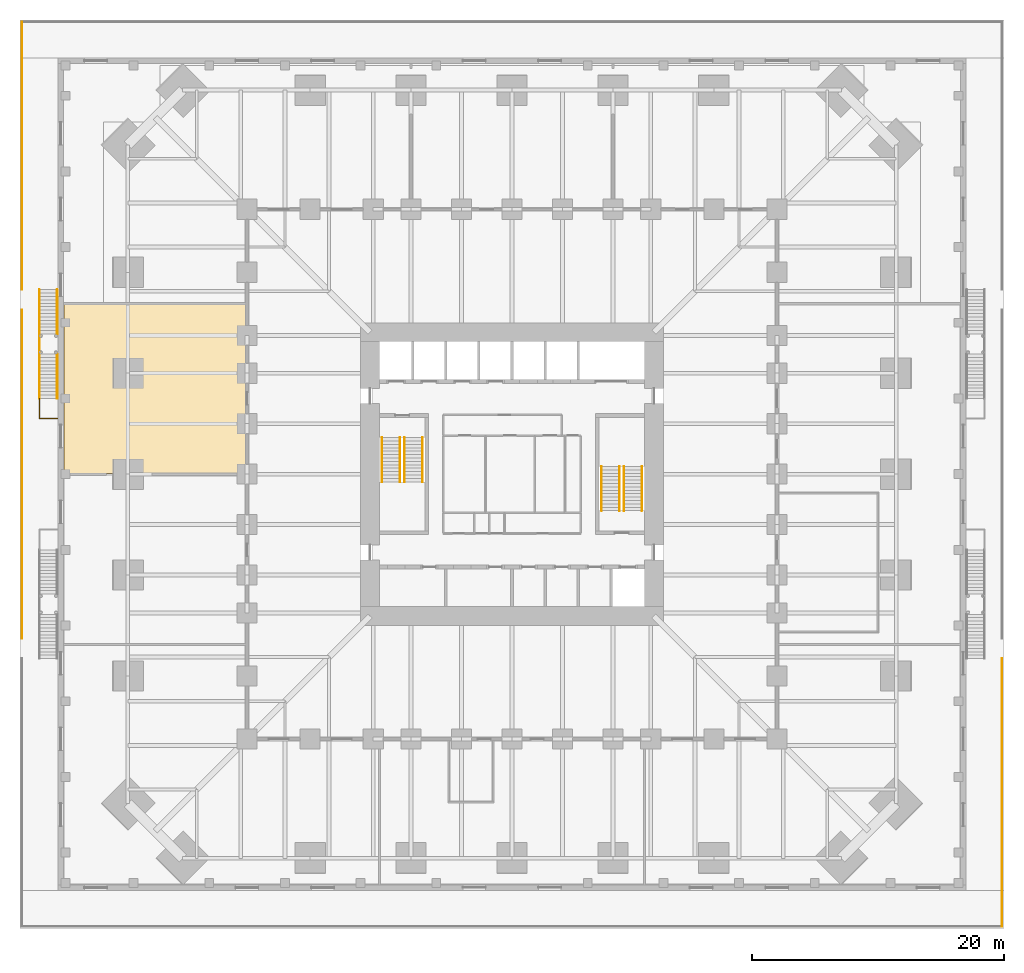
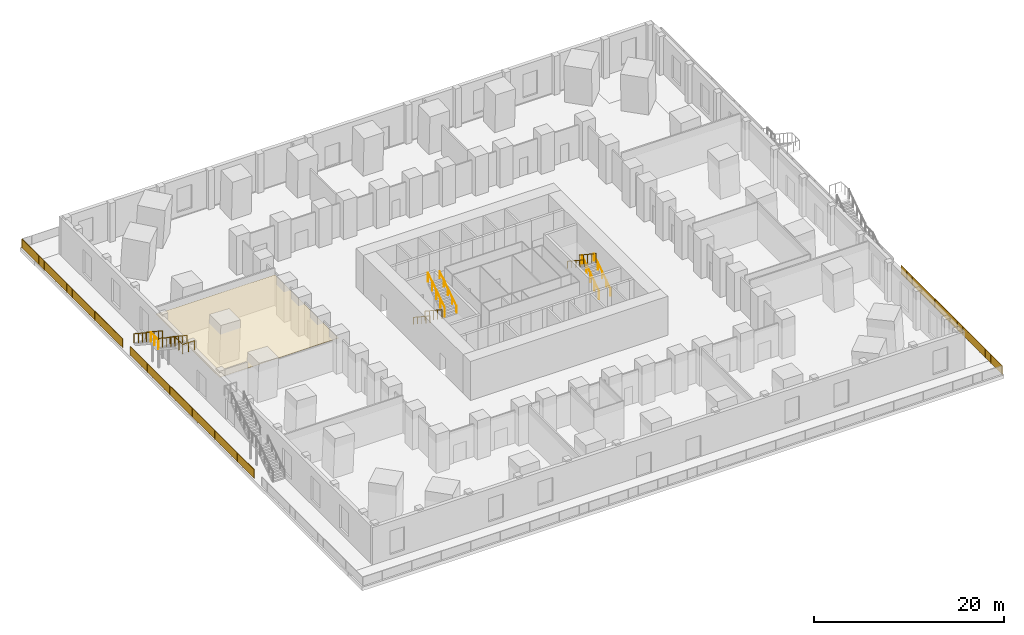
# One storey, part 18 of 20: 17 railings, 1 covering.
"""IFC4 building model written with IfcOpenShell, lengths in metres."""

from ifc_helpers import new_model, si_unit, direction, frame, origin, origin_2d, place, context, subcontext, project, spatial, polyline, rectangle, circle, outline, extrude, material, layer, layer_set, type_object, element, save


model = new_model("IFC4")

# Units and contexts
model_context = context("Model", 3, precision=1e-05, world=origin(), true_north=direction((0.0, 1.0)))
body_context = subcontext(model_context, "Body", "Model", "MODEL_VIEW")
ifc_project = project(units=[si_unit("LENGTHUNIT", "METRE"), si_unit("AREAUNIT", "SQUARE_METRE"), si_unit("VOLUMEUNIT", "CUBIC_METRE"), si_unit("PLANEANGLEUNIT", "RADIAN"), si_unit("MASSUNIT", "GRAM", prefix="KILO")], contexts=[model_context])

# Site, building, storey
site_placement = place(None, origin())
site = spatial("IfcSite", under=ifc_project, at=site_placement, CompositionType="ELEMENT")
building_placement = place(site_placement, origin())
building = spatial("IfcBuilding", under=site, at=building_placement, Name="Peilmerk Tower", CompositionType="ELEMENT")
storey_placement = place(building_placement, frame((0.0, 0.0, 11.0)))
storey = spatial("IfcBuildingStorey", under=building, at=storey_placement, Name="L02", CompositionType="ELEMENT", Elevation=11.0)

# Covering
ifc_material_1 = material(Name="Mineral fibre ceiling tiles", Category="mineral")
ifc_layer = layer(ifc_material_1, 0.02490234375)
ifc_layer_set = layer_set([ifc_layer], Name="Mineral fibre ceiling tiles")
covering_type = type_object("IfcCoveringType", Name="CL1 25 suspended ceiling", PredefinedType="CEILING", material=ifc_layer_set)
covering_placement = place(storey_placement, frame((0.0, 0.0, 3.875)))
element("IfcCovering", 1, at=covering_placement, inside=storey, type_object=covering_type, Name="Suspended ceiling Office", PredefinedType="CEILING", context=body_context, shape_type="SweptSolid", body=[
    extrude(outline(polyline([(-35.5, 13.449951171875), (-35.5, 0.050048828125), (-21.050048828125, 0.050048828125), (-21.050048828125, 13.449951171875), (-35.5, 13.449951171875)])), origin(), (0.0, 0.0, 1.0), 0.02490234375),
])

# Railings
ifc_material_2 = material(Name="Steel flat bar balustrade", Category="steel")
railing_type_1 = type_object("IfcRailingType", Name="GR1 1200 stair guard", PredefinedType="GUARDRAIL", material=ifc_material_2)
railing_1_placement = place(storey_placement, frame((-8.8798828125, 2.89990234375, 0.178466796875)))
element("IfcRailing", 2, at=railing_1_placement, inside=storey, type_object=railing_type_1, Name="Guard stair 1 L02", PredefinedType="GUARDRAIL", context=body_context, shape_type="SweptSolid", body=[
    extrude(circle(Radius=0.02392578125, at=origin_2d()), frame((0.0, 0.0, 1.17578125), z_axis=(0.0, -0.834070780157, 0.551657442339), x_axis=(1.0, 0.0, 0.0)), (0.0, 0.0, 1.0), 4.208251953125),
    extrude(circle(Radius=0.02099609375, at=origin_2d()), origin(), (0.0, 0.0, 1.0), 1.15185546875),
    extrude(circle(Radius=0.02099609375, at=origin_2d()), frame((0.0, -0.87744140625, 0.580322265625)), (0.0, 0.0, 1.0), 1.15185546875),
    extrude(circle(Radius=0.02099609375, at=origin_2d()), frame((0.0, -1.7548828125, 1.16064453125)), (0.0, 0.0, 1.0), 1.15185546875),
    extrude(circle(Radius=0.02099609375, at=origin_2d()), frame((0.0, -2.632568359375, 1.7412109375)), (0.0, 0.0, 1.0), 1.15185546875),
    extrude(circle(Radius=0.02099609375, at=origin_2d()), frame((0.0, -3.510009765625, 2.321533203125)), (0.0, 0.0, 1.0), 1.15185546875),
])
for number, where, name in (
    (3, (-8.52001953125, -0.610107421875, 2.678466796875), "Guard stair 1 L02"),
    (4, (8.8798828125, -2.89990234375, 0.178466796875), "Guard stair 2 L02"),
):
    element("IfcRailing", number, at=place(storey_placement, frame(where)), inside=storey, type_object=railing_type_1, Name=name, PredefinedType="GUARDRAIL", context=body_context, shape_type="SweptSolid", body=[
        extrude(circle(Radius=0.02392578125, at=origin_2d()), frame((0.0, 0.0, 1.17578125), z_axis=(0.0, 0.834070780157, 0.551657442339), x_axis=(-1.0, 0.0, 0.0)), (0.0, 0.0, 1.0), 4.208251953125),
        extrude(circle(Radius=0.02099609375, at=origin_2d()), origin(), (0.0, 0.0, 1.0), 1.15185546875),
        extrude(circle(Radius=0.02099609375, at=origin_2d()), frame((0.0, 0.87744140625, 0.580322265625)), (0.0, 0.0, 1.0), 1.15185546875),
        extrude(circle(Radius=0.02099609375, at=origin_2d()), frame((0.0, 1.7548828125, 1.16064453125)), (0.0, 0.0, 1.0), 1.15185546875),
        extrude(circle(Radius=0.02099609375, at=origin_2d()), frame((0.0, 2.632568359375, 1.7412109375)), (0.0, 0.0, 1.0), 1.15185546875),
        extrude(circle(Radius=0.02099609375, at=origin_2d()), frame((0.0, 3.510009765625, 2.321533203125)), (0.0, 0.0, 1.0), 1.15185546875),
    ])
for number, where, name in (
    (5, (8.52001953125, 0.610107421875, 2.678466796875), "Guard stair 2 L02"),
    (6, (-37.469970703125, 14.6201171875, 0.178466796875), "Guard external stair 5 L02"),
    (7, (-37.469970703125, 9.510009765625, 2.678466796875), "Guard external stair 5 L02"),
):
    element("IfcRailing", number, at=place(storey_placement, frame(where)), inside=storey, type_object=railing_type_1, Name=name, PredefinedType="GUARDRAIL", context=body_context, shape_type="SweptSolid", body=[
        extrude(circle(Radius=0.02392578125, at=origin_2d()), frame((0.0, 0.0, 1.17578125), z_axis=(0.0, -0.834070780157, 0.551657442339), x_axis=(1.0, 0.0, 0.0)), (0.0, 0.0, 1.0), 4.208251953125),
        extrude(circle(Radius=0.02099609375, at=origin_2d()), origin(), (0.0, 0.0, 1.0), 1.15185546875),
        extrude(circle(Radius=0.02099609375, at=origin_2d()), frame((0.0, -0.87744140625, 0.580322265625)), (0.0, 0.0, 1.0), 1.15185546875),
        extrude(circle(Radius=0.02099609375, at=origin_2d()), frame((0.0, -1.7548828125, 1.16064453125)), (0.0, 0.0, 1.0), 1.15185546875),
        extrude(circle(Radius=0.02099609375, at=origin_2d()), frame((0.0, -2.632568359375, 1.7412109375)), (0.0, 0.0, 1.0), 1.15185546875),
        extrude(circle(Radius=0.02099609375, at=origin_2d()), frame((0.0, -3.510009765625, 2.321533203125)), (0.0, 0.0, 1.0), 1.15185546875),
    ])
railing_2_placement = place(storey_placement, frame((-37.469970703125, 9.510009765625, 2.5)))
element("IfcRailing", 8, at=railing_2_placement, inside=storey, type_object=railing_type_1, Name="Guard external stair 5 L02", PredefinedType="GUARDRAIL", context=body_context, shape_type="SweptSolid", body=[
    extrude(circle(Radius=0.02392578125, at=origin_2d()), frame((0.0, 0.0, 1.17578125), z_axis=(0.0, 1.0, 0.0), x_axis=(-1.0, 0.0, 0.0)), (0.0, 0.0, 1.0), 1.60009765625),
    extrude(circle(Radius=0.02099609375, at=origin_2d()), origin(), (0.0, 0.0, 1.0), 1.15185546875),
    extrude(circle(Radius=0.02099609375, at=origin_2d()), frame((0.0, 0.800048828125, 0.0)), (0.0, 0.0, 1.0), 1.15185546875),
    extrude(circle(Radius=0.02099609375, at=origin_2d()), frame((0.0, 1.60009765625, 0.0)), (0.0, 0.0, 1.0), 1.15185546875),
])
railing_3_placement = place(storey_placement, frame((-37.469970703125, 6.0, 5.0)))
element("IfcRailing", 9, at=railing_3_placement, inside=storey, type_object=railing_type_1, Name="Guard external stair 5 L02", PredefinedType="GUARDRAIL", context=body_context, shape_type="SweptSolid", body=[
    extrude(circle(Radius=0.02392578125, at=origin_2d()), frame((0.0, 0.0, 1.17578125), z_axis=(0.0, -1.0, 0.0), x_axis=(1.0, 0.0, 0.0)), (0.0, 0.0, 1.0), 1.60009765625),
    extrude(circle(Radius=0.02392578125, at=origin_2d()), frame((0.0, -1.60009765625, 1.17578125), z_axis=(1.0, 0.0, 0.0), x_axis=(0.0, 1.0, 0.0)), (0.0, 0.0, 1.0), 1.43994140625),
    extrude(circle(Radius=0.02099609375, at=origin_2d()), origin(), (0.0, 0.0, 1.0), 1.15185546875),
    extrude(circle(Radius=0.02099609375, at=origin_2d()), frame((0.0, -0.800048828125, 0.0)), (0.0, 0.0, 1.0), 1.15185546875),
    extrude(circle(Radius=0.02099609375, at=origin_2d()), frame((0.0, -1.60009765625, 0.0)), (0.0, 0.0, 1.0), 1.15185546875),
    extrude(circle(Radius=0.02099609375, at=origin_2d()), frame((0.719970703125, -1.60009765625, 0.0)), (0.0, 0.0, 1.0), 1.15185546875),
    extrude(circle(Radius=0.02099609375, at=origin_2d()), frame((1.43994140625, -1.60009765625, 0.0)), (0.0, 0.0, 1.0), 1.15185546875),
])
ifc_material_3 = material(Name="Galvanised steel posts and top rail, laminated glass infill 16", Category="steel")
railing_type_2 = type_object("IfcRailingType", Name="GR2 1200 terrace balustrade", PredefinedType="BALUSTRADE", material=ifc_material_3)
railing_4_placement = place(storey_placement, frame((38.85009765625, -35.85009765625, 0.0)))
element("IfcRailing", 10, at=railing_4_placement, inside=storey, type_object=railing_type_2, Name="Terrace balustrade L02", PredefinedType="BALUSTRADE", context=body_context, shape_type="SweptSolid", body=[
    extrude(circle(Radius=0.02392578125, at=origin_2d()), frame((0.0, 0.0, 1.17578125), z_axis=(0.0, 1.0, 0.0), x_axis=(-1.0, 0.0, 0.0)), (0.0, 0.0, 1.0), 21.22998046875),
    extrude(circle(Radius=0.02099609375, at=origin_2d()), origin(), (0.0, 0.0, 1.0), 1.15185546875),
    extrude(circle(Radius=0.02099609375, at=origin_2d()), frame((0.0, 1.179443359375, 0.0)), (0.0, 0.0, 1.0), 1.15185546875),
    extrude(circle(Radius=0.02099609375, at=origin_2d()), frame((0.0, 2.35888671875, 0.0)), (0.0, 0.0, 1.0), 1.15185546875),
    extrude(circle(Radius=0.02099609375, at=origin_2d()), frame((0.0, 3.538330078125, 0.0)), (0.0, 0.0, 1.0), 1.15185546875),
    extrude(circle(Radius=0.02099609375, at=origin_2d()), frame((0.0, 4.7177734375, 0.0)), (0.0, 0.0, 1.0), 1.15185546875),
    extrude(circle(Radius=0.02099609375, at=origin_2d()), frame((0.0, 5.897216796875, 0.0)), (0.0, 0.0, 1.0), 1.15185546875),
    extrude(circle(Radius=0.02099609375, at=origin_2d()), frame((0.0, 7.07666015625, 0.0)), (0.0, 0.0, 1.0), 1.15185546875),
    extrude(circle(Radius=0.02099609375, at=origin_2d()), frame((0.0, 8.256103515625, 0.0)), (0.0, 0.0, 1.0), 1.15185546875),
    extrude(circle(Radius=0.02099609375, at=origin_2d()), frame((0.0, 9.435546875, 0.0)), (0.0, 0.0, 1.0), 1.15185546875),
    extrude(circle(Radius=0.02099609375, at=origin_2d()), frame((0.0, 10.614990234375, 0.0)), (0.0, 0.0, 1.0), 1.15185546875),
    extrude(circle(Radius=0.02099609375, at=origin_2d()), frame((0.0, 11.79443359375, 0.0)), (0.0, 0.0, 1.0), 1.15185546875),
    extrude(circle(Radius=0.02099609375, at=origin_2d()), frame((0.0, 12.973876953125, 0.0)), (0.0, 0.0, 1.0), 1.15185546875),
    extrude(circle(Radius=0.02099609375, at=origin_2d()), frame((0.0, 14.1533203125, 0.0)), (0.0, 0.0, 1.0), 1.15185546875),
    extrude(circle(Radius=0.02099609375, at=origin_2d()), frame((0.0, 15.332763671875, 0.0)), (0.0, 0.0, 1.0), 1.15185546875),
    extrude(circle(Radius=0.02099609375, at=origin_2d()), frame((0.0, 16.51220703125, 0.0)), (0.0, 0.0, 1.0), 1.15185546875),
    extrude(circle(Radius=0.02099609375, at=origin_2d()), frame((0.0, 17.691650390625, 0.0)), (0.0, 0.0, 1.0), 1.15185546875),
    extrude(circle(Radius=0.02099609375, at=origin_2d()), frame((0.0, 18.87109375, 0.0)), (0.0, 0.0, 1.0), 1.15185546875),
    extrude(circle(Radius=0.02099609375, at=origin_2d()), frame((0.0, 20.050537109375, 0.0)), (0.0, 0.0, 1.0), 1.15185546875),
    extrude(circle(Radius=0.02099609375, at=origin_2d()), frame((0.0, 21.22998046875, 0.0)), (0.0, 0.0, 1.0), 1.15185546875),
    extrude(rectangle(XDim=1.137451171875, YDim=0.01611328125, at=origin_2d()), frame((0.0, 0.58984375, 0.050048828125), z_axis=(0.0, 0.0, 1.0), x_axis=(0.0, 1.0, 0.0)), (0.0, 0.0, 1.0), 1.101806640625),
    extrude(rectangle(XDim=1.137451171875, YDim=0.01611328125, at=origin_2d()), frame((0.0, 1.76904296875, 0.050048828125), z_axis=(0.0, 0.0, 1.0), x_axis=(0.0, 1.0, 0.0)), (0.0, 0.0, 1.0), 1.101806640625),
    extrude(rectangle(XDim=1.137451171875, YDim=0.01611328125, at=origin_2d()), frame((0.0, 2.94873046875, 0.050048828125), z_axis=(0.0, 0.0, 1.0), x_axis=(0.0, 1.0, 0.0)), (0.0, 0.0, 1.0), 1.101806640625),
    extrude(rectangle(XDim=1.137451171875, YDim=0.01611328125, at=origin_2d()), frame((0.0, 4.1279296875, 0.050048828125), z_axis=(0.0, 0.0, 1.0), x_axis=(0.0, 1.0, 0.0)), (0.0, 0.0, 1.0), 1.101806640625),
    extrude(rectangle(XDim=1.137451171875, YDim=0.01611328125, at=origin_2d()), frame((0.0, 5.3076171875, 0.050048828125), z_axis=(0.0, 0.0, 1.0), x_axis=(0.0, 1.0, 0.0)), (0.0, 0.0, 1.0), 1.101806640625),
    extrude(rectangle(XDim=1.137451171875, YDim=0.01611328125, at=origin_2d()), frame((0.0, 6.487060546875, 0.050048828125), z_axis=(0.0, 0.0, 1.0), x_axis=(0.0, 1.0, 0.0)), (0.0, 0.0, 1.0), 1.101806640625),
    extrude(rectangle(XDim=1.137451171875, YDim=0.01611328125, at=origin_2d()), frame((0.0, 7.66650390625, 0.050048828125), z_axis=(0.0, 0.0, 1.0), x_axis=(0.0, 1.0, 0.0)), (0.0, 0.0, 1.0), 1.101806640625),
    extrude(rectangle(XDim=1.137451171875, YDim=0.01611328125, at=origin_2d()), frame((0.0, 8.845703125, 0.050048828125), z_axis=(0.0, 0.0, 1.0), x_axis=(0.0, 1.0, 0.0)), (0.0, 0.0, 1.0), 1.101806640625),
    extrude(rectangle(XDim=1.137451171875, YDim=0.01611328125, at=origin_2d()), frame((0.0, 10.025390625, 0.050048828125), z_axis=(0.0, 0.0, 1.0), x_axis=(0.0, 1.0, 0.0)), (0.0, 0.0, 1.0), 1.101806640625),
    extrude(rectangle(XDim=1.137451171875, YDim=0.01611328125, at=origin_2d()), frame((0.0, 11.20458984375, 0.050048828125), z_axis=(0.0, 0.0, 1.0), x_axis=(0.0, 1.0, 0.0)), (0.0, 0.0, 1.0), 1.101806640625),
    extrude(rectangle(XDim=1.137451171875, YDim=0.01611328125, at=origin_2d()), frame((0.0, 12.38427734375, 0.050048828125), z_axis=(0.0, 0.0, 1.0), x_axis=(0.0, 1.0, 0.0)), (0.0, 0.0, 1.0), 1.101806640625),
    extrude(rectangle(XDim=1.137451171875, YDim=0.01611328125, at=origin_2d()), frame((0.0, 13.5634765625, 0.050048828125), z_axis=(0.0, 0.0, 1.0), x_axis=(0.0, 1.0, 0.0)), (0.0, 0.0, 1.0), 1.101806640625),
    extrude(rectangle(XDim=1.137451171875, YDim=0.01611328125, at=origin_2d()), frame((0.0, 14.7431640625, 0.050048828125), z_axis=(0.0, 0.0, 1.0), x_axis=(0.0, 1.0, 0.0)), (0.0, 0.0, 1.0), 1.101806640625),
    extrude(rectangle(XDim=1.137451171875, YDim=0.01611328125, at=origin_2d()), frame((0.0, 15.92236328125, 0.050048828125), z_axis=(0.0, 0.0, 1.0), x_axis=(0.0, 1.0, 0.0)), (0.0, 0.0, 1.0), 1.101806640625),
    extrude(rectangle(XDim=1.137451171875, YDim=0.01611328125, at=origin_2d()), frame((0.0, 17.10205078125, 0.050048828125), z_axis=(0.0, 0.0, 1.0), x_axis=(0.0, 1.0, 0.0)), (0.0, 0.0, 1.0), 1.101806640625),
    extrude(rectangle(XDim=1.137451171875, YDim=0.01611328125, at=origin_2d()), frame((0.0, 18.28125, 0.050048828125), z_axis=(0.0, 0.0, 1.0), x_axis=(0.0, 1.0, 0.0)), (0.0, 0.0, 1.0), 1.101806640625),
    extrude(rectangle(XDim=1.137451171875, YDim=0.01611328125, at=origin_2d()), frame((0.0, 19.4609375, 0.050048828125), z_axis=(0.0, 0.0, 1.0), x_axis=(0.0, 1.0, 0.0)), (0.0, 0.0, 1.0), 1.101806640625),
    extrude(rectangle(XDim=1.137451171875, YDim=0.01611328125, at=origin_2d()), frame((0.0, 20.64013671875, 0.050048828125), z_axis=(0.0, 0.0, 1.0), x_axis=(0.0, 1.0, 0.0)), (0.0, 0.0, 1.0), 1.101806640625),
])
railing_5_placement = place(storey_placement, frame((-38.85009765625, -13.02001953125, 0.0)))
element("IfcRailing", 11, at=railing_5_placement, inside=storey, type_object=railing_type_2, Name="Terrace balustrade L02", PredefinedType="BALUSTRADE", context=body_context, shape_type="SweptSolid", body=[
    extrude(circle(Radius=0.02392578125, at=origin_2d()), frame((0.0, 0.0, 1.17578125), z_axis=(0.0, 1.0, 0.0), x_axis=(-1.0, 0.0, 0.0)), (0.0, 0.0, 1.0), 26.0400390625),
    extrude(circle(Radius=0.02099609375, at=origin_2d()), origin(), (0.0, 0.0, 1.0), 1.15185546875),
    extrude(circle(Radius=0.02099609375, at=origin_2d()), frame((0.0, 1.18359375, 0.0)), (0.0, 0.0, 1.0), 1.15185546875),
    extrude(circle(Radius=0.02099609375, at=origin_2d()), frame((0.0, 2.3671875, 0.0)), (0.0, 0.0, 1.0), 1.15185546875),
    extrude(circle(Radius=0.02099609375, at=origin_2d()), frame((0.0, 3.551025390625, 0.0)), (0.0, 0.0, 1.0), 1.15185546875),
    extrude(circle(Radius=0.02099609375, at=origin_2d()), frame((0.0, 4.734619140625, 0.0)), (0.0, 0.0, 1.0), 1.15185546875),
    extrude(circle(Radius=0.02099609375, at=origin_2d()), frame((0.0, 5.918212890625, 0.0)), (0.0, 0.0, 1.0), 1.15185546875),
    extrude(circle(Radius=0.02099609375, at=origin_2d()), frame((0.0, 7.101806640625, 0.0)), (0.0, 0.0, 1.0), 1.15185546875),
    extrude(circle(Radius=0.02099609375, at=origin_2d()), frame((0.0, 8.285400390625, 0.0)), (0.0, 0.0, 1.0), 1.15185546875),
    extrude(circle(Radius=0.02099609375, at=origin_2d()), frame((0.0, 9.468994140625, 0.0)), (0.0, 0.0, 1.0), 1.15185546875),
    extrude(circle(Radius=0.02099609375, at=origin_2d()), frame((0.0, 10.65283203125, 0.0)), (0.0, 0.0, 1.0), 1.15185546875),
    extrude(circle(Radius=0.02099609375, at=origin_2d()), frame((0.0, 11.83642578125, 0.0)), (0.0, 0.0, 1.0), 1.15185546875),
    extrude(circle(Radius=0.02099609375, at=origin_2d()), frame((0.0, 13.02001953125, 0.0)), (0.0, 0.0, 1.0), 1.15185546875),
    extrude(circle(Radius=0.02099609375, at=origin_2d()), frame((0.0, 14.20361328125, 0.0)), (0.0, 0.0, 1.0), 1.15185546875),
    extrude(circle(Radius=0.02099609375, at=origin_2d()), frame((0.0, 15.38720703125, 0.0)), (0.0, 0.0, 1.0), 1.15185546875),
    extrude(circle(Radius=0.02099609375, at=origin_2d()), frame((0.0, 16.571044921875, 0.0)), (0.0, 0.0, 1.0), 1.15185546875),
    extrude(circle(Radius=0.02099609375, at=origin_2d()), frame((0.0, 17.754638671875, 0.0)), (0.0, 0.0, 1.0), 1.15185546875),
    extrude(circle(Radius=0.02099609375, at=origin_2d()), frame((0.0, 18.938232421875, 0.0)), (0.0, 0.0, 1.0), 1.15185546875),
    extrude(circle(Radius=0.02099609375, at=origin_2d()), frame((0.0, 20.121826171875, 0.0)), (0.0, 0.0, 1.0), 1.15185546875),
    extrude(circle(Radius=0.02099609375, at=origin_2d()), frame((0.0, 21.305419921875, 0.0)), (0.0, 0.0, 1.0), 1.15185546875),
    extrude(circle(Radius=0.02099609375, at=origin_2d()), frame((0.0, 22.489013671875, 0.0)), (0.0, 0.0, 1.0), 1.15185546875),
    extrude(circle(Radius=0.02099609375, at=origin_2d()), frame((0.0, 23.6728515625, 0.0)), (0.0, 0.0, 1.0), 1.15185546875),
    extrude(circle(Radius=0.02099609375, at=origin_2d()), frame((0.0, 24.8564453125, 0.0)), (0.0, 0.0, 1.0), 1.15185546875),
    extrude(circle(Radius=0.02099609375, at=origin_2d()), frame((0.0, 26.0400390625, 0.0)), (0.0, 0.0, 1.0), 1.15185546875),
    extrude(rectangle(XDim=1.1416015625, YDim=0.01611328125, at=origin_2d()), frame((0.0, 0.591796875, 0.050048828125), z_axis=(0.0, 0.0, 1.0), x_axis=(0.0, 1.0, 0.0)), (0.0, 0.0, 1.0), 1.101806640625),
    extrude(rectangle(XDim=1.1416015625, YDim=0.01611328125, at=origin_2d()), frame((0.0, 1.775390625, 0.050048828125), z_axis=(0.0, 0.0, 1.0), x_axis=(0.0, 1.0, 0.0)), (0.0, 0.0, 1.0), 1.101806640625),
    extrude(rectangle(XDim=1.1416015625, YDim=0.01611328125, at=origin_2d()), frame((0.0, 2.958984375, 0.050048828125), z_axis=(0.0, 0.0, 1.0), x_axis=(0.0, 1.0, 0.0)), (0.0, 0.0, 1.0), 1.101806640625),
    extrude(rectangle(XDim=1.1416015625, YDim=0.01611328125, at=origin_2d()), frame((0.0, 4.142822265625, 0.050048828125), z_axis=(0.0, 0.0, 1.0), x_axis=(0.0, 1.0, 0.0)), (0.0, 0.0, 1.0), 1.101806640625),
    extrude(rectangle(XDim=1.1416015625, YDim=0.01611328125, at=origin_2d()), frame((0.0, 5.326416015625, 0.050048828125), z_axis=(0.0, 0.0, 1.0), x_axis=(0.0, 1.0, 0.0)), (0.0, 0.0, 1.0), 1.101806640625),
    extrude(rectangle(XDim=1.1416015625, YDim=0.01611328125, at=origin_2d()), frame((0.0, 6.510009765625, 0.050048828125), z_axis=(0.0, 0.0, 1.0), x_axis=(0.0, 1.0, 0.0)), (0.0, 0.0, 1.0), 1.101806640625),
    extrude(rectangle(XDim=1.1416015625, YDim=0.01611328125, at=origin_2d()), frame((0.0, 7.693603515625, 0.050048828125), z_axis=(0.0, 0.0, 1.0), x_axis=(0.0, 1.0, 0.0)), (0.0, 0.0, 1.0), 1.101806640625),
    extrude(rectangle(XDim=1.1416015625, YDim=0.01611328125, at=origin_2d()), frame((0.0, 8.877197265625, 0.050048828125), z_axis=(0.0, 0.0, 1.0), x_axis=(0.0, 1.0, 0.0)), (0.0, 0.0, 1.0), 1.101806640625),
    extrude(rectangle(XDim=1.1416015625, YDim=0.01611328125, at=origin_2d()), frame((0.0, 10.06103515625, 0.050048828125), z_axis=(0.0, 0.0, 1.0), x_axis=(0.0, 1.0, 0.0)), (0.0, 0.0, 1.0), 1.101806640625),
    extrude(rectangle(XDim=1.1416015625, YDim=0.01611328125, at=origin_2d()), frame((0.0, 11.24462890625, 0.050048828125), z_axis=(0.0, 0.0, 1.0), x_axis=(0.0, 1.0, 0.0)), (0.0, 0.0, 1.0), 1.101806640625),
    extrude(rectangle(XDim=1.1416015625, YDim=0.01611328125, at=origin_2d()), frame((0.0, 12.42822265625, 0.050048828125), z_axis=(0.0, 0.0, 1.0), x_axis=(0.0, 1.0, 0.0)), (0.0, 0.0, 1.0), 1.101806640625),
    extrude(rectangle(XDim=1.1416015625, YDim=0.01611328125, at=origin_2d()), frame((0.0, 13.61181640625, 0.050048828125), z_axis=(0.0, 0.0, 1.0), x_axis=(0.0, 1.0, 0.0)), (0.0, 0.0, 1.0), 1.101806640625),
    extrude(rectangle(XDim=1.1416015625, YDim=0.01611328125, at=origin_2d()), frame((0.0, 14.79541015625, 0.050048828125), z_axis=(0.0, 0.0, 1.0), x_axis=(0.0, 1.0, 0.0)), (0.0, 0.0, 1.0), 1.101806640625),
    extrude(rectangle(XDim=1.1416015625, YDim=0.01611328125, at=origin_2d()), frame((0.0, 15.97900390625, 0.050048828125), z_axis=(0.0, 0.0, 1.0), x_axis=(0.0, 1.0, 0.0)), (0.0, 0.0, 1.0), 1.101806640625),
    extrude(rectangle(XDim=1.1416015625, YDim=0.01611328125, at=origin_2d()), frame((0.0, 17.162841796875, 0.050048828125), z_axis=(0.0, 0.0, 1.0), x_axis=(0.0, 1.0, 0.0)), (0.0, 0.0, 1.0), 1.101806640625),
    extrude(rectangle(XDim=1.1416015625, YDim=0.01611328125, at=origin_2d()), frame((0.0, 18.346435546875, 0.050048828125), z_axis=(0.0, 0.0, 1.0), x_axis=(0.0, 1.0, 0.0)), (0.0, 0.0, 1.0), 1.101806640625),
    extrude(rectangle(XDim=1.1416015625, YDim=0.01611328125, at=origin_2d()), frame((0.0, 19.530029296875, 0.050048828125), z_axis=(0.0, 0.0, 1.0), x_axis=(0.0, 1.0, 0.0)), (0.0, 0.0, 1.0), 1.101806640625),
    extrude(rectangle(XDim=1.1416015625, YDim=0.01611328125, at=origin_2d()), frame((0.0, 20.713623046875, 0.050048828125), z_axis=(0.0, 0.0, 1.0), x_axis=(0.0, 1.0, 0.0)), (0.0, 0.0, 1.0), 1.101806640625),
    extrude(rectangle(XDim=1.1416015625, YDim=0.01611328125, at=origin_2d()), frame((0.0, 21.897216796875, 0.050048828125), z_axis=(0.0, 0.0, 1.0), x_axis=(0.0, 1.0, 0.0)), (0.0, 0.0, 1.0), 1.101806640625),
    extrude(rectangle(XDim=1.1416015625, YDim=0.01611328125, at=origin_2d()), frame((0.0, 23.0810546875, 0.050048828125), z_axis=(0.0, 0.0, 1.0), x_axis=(0.0, 1.0, 0.0)), (0.0, 0.0, 1.0), 1.101806640625),
    extrude(rectangle(XDim=1.1416015625, YDim=0.01611328125, at=origin_2d()), frame((0.0, 24.2646484375, 0.050048828125), z_axis=(0.0, 0.0, 1.0), x_axis=(0.0, 1.0, 0.0)), (0.0, 0.0, 1.0), 1.101806640625),
    extrude(rectangle(XDim=1.1416015625, YDim=0.01611328125, at=origin_2d()), frame((0.0, 25.4482421875, 0.050048828125), z_axis=(0.0, 0.0, 1.0), x_axis=(0.0, 1.0, 0.0)), (0.0, 0.0, 1.0), 1.101806640625),
])
railing_6_placement = place(storey_placement, frame((-38.85009765625, 14.6201171875, 0.0)))
element("IfcRailing", 12, at=railing_6_placement, inside=storey, type_object=railing_type_2, Name="Terrace balustrade L02", PredefinedType="BALUSTRADE", context=body_context, shape_type="SweptSolid", body=[
    extrude(circle(Radius=0.02392578125, at=origin_2d()), frame((0.0, 0.0, 1.17578125), z_axis=(0.0, 1.0, 0.0), x_axis=(-1.0, 0.0, 0.0)), (0.0, 0.0, 1.0), 21.22998046875),
    extrude(circle(Radius=0.02099609375, at=origin_2d()), origin(), (0.0, 0.0, 1.0), 1.15185546875),
    extrude(circle(Radius=0.02099609375, at=origin_2d()), frame((0.0, 1.179443359375, 0.0)), (0.0, 0.0, 1.0), 1.15185546875),
    extrude(circle(Radius=0.02099609375, at=origin_2d()), frame((0.0, 2.35888671875, 0.0)), (0.0, 0.0, 1.0), 1.15185546875),
    extrude(circle(Radius=0.02099609375, at=origin_2d()), frame((0.0, 3.538330078125, 0.0)), (0.0, 0.0, 1.0), 1.15185546875),
    extrude(circle(Radius=0.02099609375, at=origin_2d()), frame((0.0, 4.7177734375, 0.0)), (0.0, 0.0, 1.0), 1.15185546875),
    extrude(circle(Radius=0.02099609375, at=origin_2d()), frame((0.0, 5.897216796875, 0.0)), (0.0, 0.0, 1.0), 1.15185546875),
    extrude(circle(Radius=0.02099609375, at=origin_2d()), frame((0.0, 7.07666015625, 0.0)), (0.0, 0.0, 1.0), 1.15185546875),
    extrude(circle(Radius=0.02099609375, at=origin_2d()), frame((0.0, 8.256103515625, 0.0)), (0.0, 0.0, 1.0), 1.15185546875),
    extrude(circle(Radius=0.02099609375, at=origin_2d()), frame((0.0, 9.435546875, 0.0)), (0.0, 0.0, 1.0), 1.15185546875),
    extrude(circle(Radius=0.02099609375, at=origin_2d()), frame((0.0, 10.614990234375, 0.0)), (0.0, 0.0, 1.0), 1.15185546875),
    extrude(circle(Radius=0.02099609375, at=origin_2d()), frame((0.0, 11.79443359375, 0.0)), (0.0, 0.0, 1.0), 1.15185546875),
    extrude(circle(Radius=0.02099609375, at=origin_2d()), frame((0.0, 12.973876953125, 0.0)), (0.0, 0.0, 1.0), 1.15185546875),
    extrude(circle(Radius=0.02099609375, at=origin_2d()), frame((0.0, 14.1533203125, 0.0)), (0.0, 0.0, 1.0), 1.15185546875),
    extrude(circle(Radius=0.02099609375, at=origin_2d()), frame((0.0, 15.332763671875, 0.0)), (0.0, 0.0, 1.0), 1.15185546875),
    extrude(circle(Radius=0.02099609375, at=origin_2d()), frame((0.0, 16.51220703125, 0.0)), (0.0, 0.0, 1.0), 1.15185546875),
    extrude(circle(Radius=0.02099609375, at=origin_2d()), frame((0.0, 17.691650390625, 0.0)), (0.0, 0.0, 1.0), 1.15185546875),
    extrude(circle(Radius=0.02099609375, at=origin_2d()), frame((0.0, 18.87109375, 0.0)), (0.0, 0.0, 1.0), 1.15185546875),
    extrude(circle(Radius=0.02099609375, at=origin_2d()), frame((0.0, 20.050537109375, 0.0)), (0.0, 0.0, 1.0), 1.15185546875),
    extrude(circle(Radius=0.02099609375, at=origin_2d()), frame((0.0, 21.22998046875, 0.0)), (0.0, 0.0, 1.0), 1.15185546875),
    extrude(rectangle(XDim=1.137451171875, YDim=0.01611328125, at=origin_2d()), frame((0.0, 0.58984375, 0.050048828125), z_axis=(0.0, 0.0, 1.0), x_axis=(0.0, 1.0, 0.0)), (0.0, 0.0, 1.0), 1.101806640625),
    extrude(rectangle(XDim=1.137451171875, YDim=0.01611328125, at=origin_2d()), frame((0.0, 1.76904296875, 0.050048828125), z_axis=(0.0, 0.0, 1.0), x_axis=(0.0, 1.0, 0.0)), (0.0, 0.0, 1.0), 1.101806640625),
    extrude(rectangle(XDim=1.137451171875, YDim=0.01611328125, at=origin_2d()), frame((0.0, 2.94873046875, 0.050048828125), z_axis=(0.0, 0.0, 1.0), x_axis=(0.0, 1.0, 0.0)), (0.0, 0.0, 1.0), 1.101806640625),
    extrude(rectangle(XDim=1.137451171875, YDim=0.01611328125, at=origin_2d()), frame((0.0, 4.1279296875, 0.050048828125), z_axis=(0.0, 0.0, 1.0), x_axis=(0.0, 1.0, 0.0)), (0.0, 0.0, 1.0), 1.101806640625),
    extrude(rectangle(XDim=1.137451171875, YDim=0.01611328125, at=origin_2d()), frame((0.0, 5.3076171875, 0.050048828125), z_axis=(0.0, 0.0, 1.0), x_axis=(0.0, 1.0, 0.0)), (0.0, 0.0, 1.0), 1.101806640625),
    extrude(rectangle(XDim=1.137451171875, YDim=0.01611328125, at=origin_2d()), frame((0.0, 6.487060546875, 0.050048828125), z_axis=(0.0, 0.0, 1.0), x_axis=(0.0, 1.0, 0.0)), (0.0, 0.0, 1.0), 1.101806640625),
    extrude(rectangle(XDim=1.137451171875, YDim=0.01611328125, at=origin_2d()), frame((0.0, 7.66650390625, 0.050048828125), z_axis=(0.0, 0.0, 1.0), x_axis=(0.0, 1.0, 0.0)), (0.0, 0.0, 1.0), 1.101806640625),
    extrude(rectangle(XDim=1.137451171875, YDim=0.01611328125, at=origin_2d()), frame((0.0, 8.845703125, 0.050048828125), z_axis=(0.0, 0.0, 1.0), x_axis=(0.0, 1.0, 0.0)), (0.0, 0.0, 1.0), 1.101806640625),
    extrude(rectangle(XDim=1.137451171875, YDim=0.01611328125, at=origin_2d()), frame((0.0, 10.025390625, 0.050048828125), z_axis=(0.0, 0.0, 1.0), x_axis=(0.0, 1.0, 0.0)), (0.0, 0.0, 1.0), 1.101806640625),
    extrude(rectangle(XDim=1.137451171875, YDim=0.01611328125, at=origin_2d()), frame((0.0, 11.20458984375, 0.050048828125), z_axis=(0.0, 0.0, 1.0), x_axis=(0.0, 1.0, 0.0)), (0.0, 0.0, 1.0), 1.101806640625),
    extrude(rectangle(XDim=1.137451171875, YDim=0.01611328125, at=origin_2d()), frame((0.0, 12.38427734375, 0.050048828125), z_axis=(0.0, 0.0, 1.0), x_axis=(0.0, 1.0, 0.0)), (0.0, 0.0, 1.0), 1.101806640625),
    extrude(rectangle(XDim=1.137451171875, YDim=0.01611328125, at=origin_2d()), frame((0.0, 13.5634765625, 0.050048828125), z_axis=(0.0, 0.0, 1.0), x_axis=(0.0, 1.0, 0.0)), (0.0, 0.0, 1.0), 1.101806640625),
    extrude(rectangle(XDim=1.137451171875, YDim=0.01611328125, at=origin_2d()), frame((0.0, 14.7431640625, 0.050048828125), z_axis=(0.0, 0.0, 1.0), x_axis=(0.0, 1.0, 0.0)), (0.0, 0.0, 1.0), 1.101806640625),
    extrude(rectangle(XDim=1.137451171875, YDim=0.01611328125, at=origin_2d()), frame((0.0, 15.92236328125, 0.050048828125), z_axis=(0.0, 0.0, 1.0), x_axis=(0.0, 1.0, 0.0)), (0.0, 0.0, 1.0), 1.101806640625),
    extrude(rectangle(XDim=1.137451171875, YDim=0.01611328125, at=origin_2d()), frame((0.0, 17.10205078125, 0.050048828125), z_axis=(0.0, 0.0, 1.0), x_axis=(0.0, 1.0, 0.0)), (0.0, 0.0, 1.0), 1.101806640625),
    extrude(rectangle(XDim=1.137451171875, YDim=0.01611328125, at=origin_2d()), frame((0.0, 18.28125, 0.050048828125), z_axis=(0.0, 0.0, 1.0), x_axis=(0.0, 1.0, 0.0)), (0.0, 0.0, 1.0), 1.101806640625),
    extrude(rectangle(XDim=1.137451171875, YDim=0.01611328125, at=origin_2d()), frame((0.0, 19.4609375, 0.050048828125), z_axis=(0.0, 0.0, 1.0), x_axis=(0.0, 1.0, 0.0)), (0.0, 0.0, 1.0), 1.101806640625),
    extrude(rectangle(XDim=1.137451171875, YDim=0.01611328125, at=origin_2d()), frame((0.0, 20.64013671875, 0.050048828125), z_axis=(0.0, 0.0, 1.0), x_axis=(0.0, 1.0, 0.0)), (0.0, 0.0, 1.0), 1.101806640625),
])
ifc_material_4 = material(Name="Stainless steel tube", Category="steel")
railing_type_3 = type_object("IfcRailingType", Name="HR1 900 stair handrail", PredefinedType="HANDRAIL", material=ifc_material_4)
railing_7_placement = place(storey_placement, frame((-10.300048828125, 2.89990234375, 0.178466796875)))
element("IfcRailing", 13, at=railing_7_placement, inside=storey, type_object=railing_type_3, Name="Handrail stair 1 L02", PredefinedType="HANDRAIL", context=body_context, shape_type="SweptSolid", body=[
    extrude(circle(Radius=0.02392578125, at=origin_2d()), frame((0.0, 0.0, 0.8759765625), z_axis=(0.0, -0.834070780157, 0.551657442339), x_axis=(1.0, 0.0, 0.0)), (0.0, 0.0, 1.0), 4.208251953125),
    extrude(circle(Radius=0.02099609375, at=origin_2d()), origin(), (0.0, 0.0, 1.0), 0.851806640625),
    extrude(circle(Radius=0.02099609375, at=origin_2d()), frame((0.0, -0.87744140625, 0.580322265625)), (0.0, 0.0, 1.0), 0.851806640625),
    extrude(circle(Radius=0.02099609375, at=origin_2d()), frame((0.0, -1.7548828125, 1.16064453125)), (0.0, 0.0, 1.0), 0.851806640625),
    extrude(circle(Radius=0.02099609375, at=origin_2d()), frame((0.0, -2.632568359375, 1.7412109375)), (0.0, 0.0, 1.0), 0.851806640625),
    extrude(circle(Radius=0.02099609375, at=origin_2d()), frame((0.0, -3.510009765625, 2.321533203125)), (0.0, 0.0, 1.0), 0.851806640625),
])
for number, where, name in (
    (14, (-7.10009765625, -0.610107421875, 2.678466796875), "Handrail stair 1 L02"),
    (15, (10.300048828125, -2.89990234375, 0.178466796875), "Handrail stair 2 L02"),
):
    element("IfcRailing", number, at=place(storey_placement, frame(where)), inside=storey, type_object=railing_type_3, Name=name, PredefinedType="HANDRAIL", context=body_context, shape_type="SweptSolid", body=[
        extrude(circle(Radius=0.02392578125, at=origin_2d()), frame((0.0, 0.0, 0.8759765625), z_axis=(0.0, 0.834070780157, 0.551657442339), x_axis=(-1.0, 0.0, 0.0)), (0.0, 0.0, 1.0), 4.208251953125),
        extrude(circle(Radius=0.02099609375, at=origin_2d()), origin(), (0.0, 0.0, 1.0), 0.851806640625),
        extrude(circle(Radius=0.02099609375, at=origin_2d()), frame((0.0, 0.87744140625, 0.580322265625)), (0.0, 0.0, 1.0), 0.851806640625),
        extrude(circle(Radius=0.02099609375, at=origin_2d()), frame((0.0, 1.7548828125, 1.16064453125)), (0.0, 0.0, 1.0), 0.851806640625),
        extrude(circle(Radius=0.02099609375, at=origin_2d()), frame((0.0, 2.632568359375, 1.7412109375)), (0.0, 0.0, 1.0), 0.851806640625),
        extrude(circle(Radius=0.02099609375, at=origin_2d()), frame((0.0, 3.510009765625, 2.321533203125)), (0.0, 0.0, 1.0), 0.851806640625),
    ])
for number, where, name in (
    (16, (7.10009765625, 0.610107421875, 2.678466796875), "Handrail stair 2 L02"),
    (17, (-36.050048828125, 14.6201171875, 0.178466796875), "Handrail external stair 5 L02"),
    (18, (-36.050048828125, 9.510009765625, 2.678466796875), "Handrail external stair 5 L02"),
):
    element("IfcRailing", number, at=place(storey_placement, frame(where)), inside=storey, type_object=railing_type_3, Name=name, PredefinedType="HANDRAIL", context=body_context, shape_type="SweptSolid", body=[
        extrude(circle(Radius=0.02392578125, at=origin_2d()), frame((0.0, 0.0, 0.8759765625), z_axis=(0.0, -0.834070780157, 0.551657442339), x_axis=(1.0, 0.0, 0.0)), (0.0, 0.0, 1.0), 4.208251953125),
        extrude(circle(Radius=0.02099609375, at=origin_2d()), origin(), (0.0, 0.0, 1.0), 0.851806640625),
        extrude(circle(Radius=0.02099609375, at=origin_2d()), frame((0.0, -0.87744140625, 0.580322265625)), (0.0, 0.0, 1.0), 0.851806640625),
        extrude(circle(Radius=0.02099609375, at=origin_2d()), frame((0.0, -1.7548828125, 1.16064453125)), (0.0, 0.0, 1.0), 0.851806640625),
        extrude(circle(Radius=0.02099609375, at=origin_2d()), frame((0.0, -2.632568359375, 1.7412109375)), (0.0, 0.0, 1.0), 0.851806640625),
        extrude(circle(Radius=0.02099609375, at=origin_2d()), frame((0.0, -3.510009765625, 2.321533203125)), (0.0, 0.0, 1.0), 0.851806640625),
    ])

save(model, "model.ifc")
